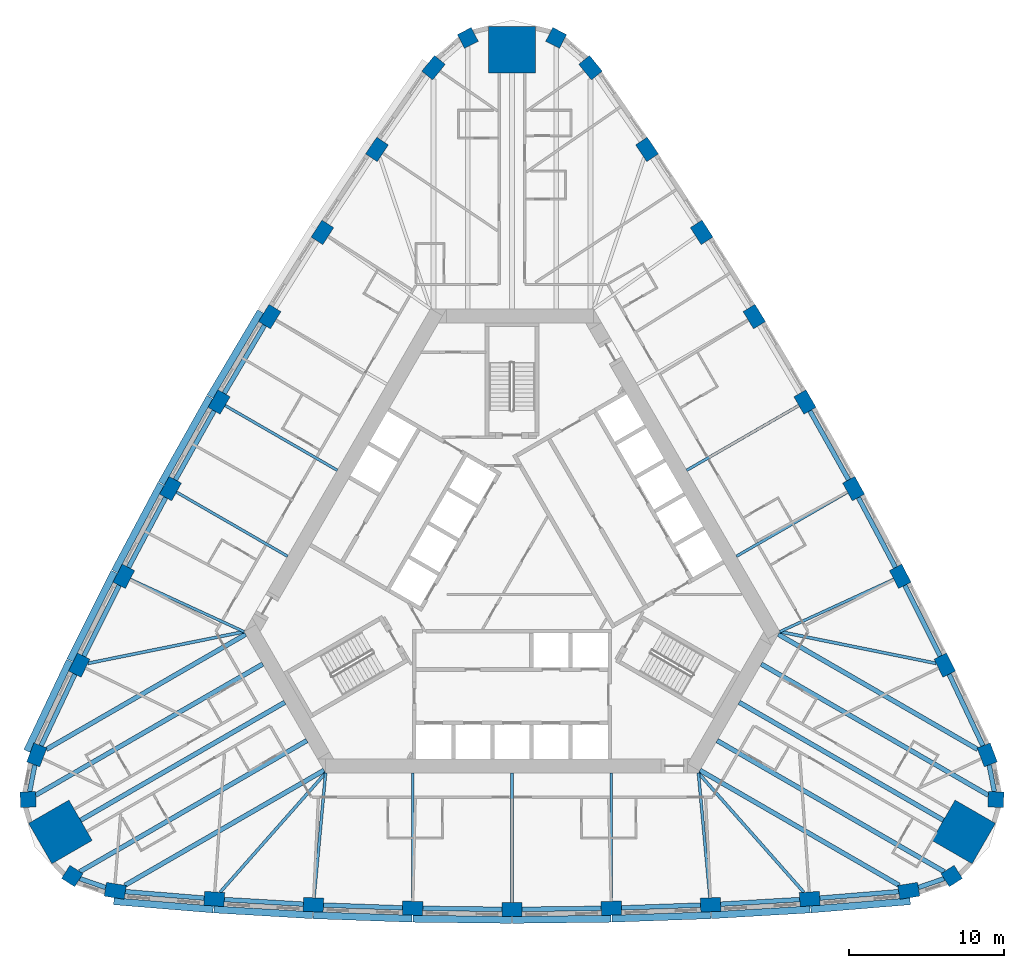
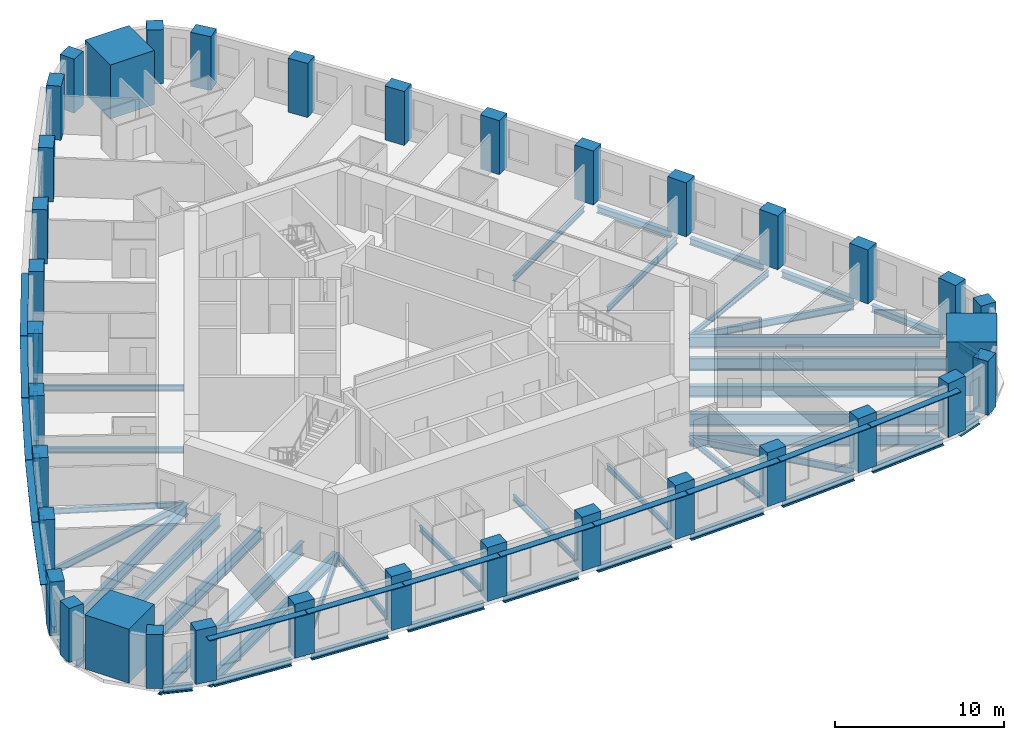
# One storey, part 1 of 13: 46 beams, 36 columns, 13 members.
"""IFC4 building model written with IfcOpenShell, lengths in metres."""

from ifc_helpers import new_model, si_unit, direction, frame, origin, origin_2d, place, context, subcontext, project, spatial, rectangle, i_section, extrude, material, material_profile, profile_set, type_object, element, save


model = new_model("IFC4")

# Units and contexts
model_context = context("Model", 3, precision=1e-05, world=origin(), true_north=direction((0.0, 1.0)))
body_context = subcontext(model_context, "Body", "Model", "MODEL_VIEW")
ifc_project = project(units=[si_unit("LENGTHUNIT", "METRE"), si_unit("AREAUNIT", "SQUARE_METRE"), si_unit("VOLUMEUNIT", "CUBIC_METRE"), si_unit("PLANEANGLEUNIT", "RADIAN"), si_unit("MASSUNIT", "GRAM", prefix="KILO")], contexts=[model_context])

# Site, building, storey
site_placement = place(None, origin())
site = spatial("IfcSite", under=ifc_project, at=site_placement, CompositionType="ELEMENT")
building_placement = place(site_placement, origin())
building = spatial("IfcBuilding", under=site, at=building_placement, Name="Mestral Congress Tower", CompositionType="ELEMENT")
storey_placement = place(building_placement, frame((0.0, 0.0, 95.39990234375)))
storey = spatial("IfcBuildingStorey", under=building, at=storey_placement, Name="L22", CompositionType="ELEMENT", Elevation=95.39990234375)

# Columns
ifc_material_1 = material(Name="Concrete C70/85", Category="concrete")
ifc_material_profile_1 = material_profile(ifc_material_1, rectangle(XDim=1.0, YDim=1.0, at=origin_2d()), Name="RC 1000x1000")
ifc_profile_set_1 = profile_set([ifc_material_profile_1], Name="Concrete C70/85")
column_type_1 = type_object("IfcColumnType", Name="Column RC 1000x1000 C70/85", PredefinedType="COLUMN", material=ifc_profile_set_1)
for number, where, z_axis, x_axis, name in (
    (1, (28.331298828125, -19.642822265625, 0.0), (0.0, 0.0, 1.0), (0.841700252504, 0.53994507585, 0.0), "COL-L22-C2-SE1"),
    (2, (31.1767578125, -14.714111328125, 0.0), (0.0, 0.0, 1.0), (0.046756026083, 0.998906338965, 0.0), "COL-L22-C2-SE3"),
    (3, (2.845703125, 34.35693359375, 0.0), (0.0, 0.0, 1.0), (-0.888456278587, 0.458961263115, 0.0), "COL-L22-C2-N1"),
    (4, (-2.845703125, 34.35693359375, 0.0), (0.0, 0.0, 1.0), (-0.888456278587, -0.458961263115, 0.0), "COL-L22-C2-N3"),
    (5, (-31.1767578125, -14.714111328125, 0.0), (0.0, 0.0, 1.0), (0.046756026083, -0.998906338965, 0.0), "COL-L22-C2-SW1"),
    (6, (-28.331298828125, -19.642822265625, 0.0), (0.0, 0.0, 1.0), (0.841700252504, -0.53994507585, 0.0), "COL-L22-C2-SW3"),
):
    element("IfcColumn", number, at=place(storey_placement, frame(where, z_axis=z_axis, x_axis=x_axis)), inside=storey, type_object=column_type_1, Name=name, PredefinedType="COLUMN", context=body_context, shape_type="SweptSolid", body=[
        extrude(rectangle(XDim=1.0, YDim=1.0, at=origin_2d()), origin(), (0.0, 0.0, 1.0), 3.900146484375),
    ])
ifc_material_profile_2 = material_profile(ifc_material_1, rectangle(XDim=1.300048828125, YDim=0.89990234375, at=origin_2d()), Name="RC 1300x900")
ifc_profile_set_2 = profile_set([ifc_material_profile_2], Name="Concrete C70/85")
column_type_2 = type_object("IfcColumnType", Name="Column RC 1300x900 C70/85", PredefinedType="COLUMN", material=ifc_profile_set_2)
for number, where, z_axis, x_axis, name in (
    (7, (-25.562744140625, -20.59716796875, 0.0), (0.0, 0.0, 1.0), (0.987202314361, -0.159472851987, 0.0), "COL-L22-C2-S00"),
    (8, (-19.184326171875, -21.120361328125, 0.0), (0.0, 0.0, 1.0), (0.997539884588, -0.07010120296, 0.0), "COL-L22-C2-S01"),
    (9, (-12.79541015625, -21.494384765625, 0.0), (0.0, 0.0, 1.0), (0.998906338965, -0.046756026083, 0.0), "COL-L22-C2-S02"),
    (10, (-6.3994140625, -21.71875, 0.0), (0.0, 0.0, 1.0), (0.99972656776, -0.023383535144, 0.0), "COL-L22-C2-S03"),
    (11, (0.0, -21.793701171875, 0.0), (0.0, 0.0, 1.0), (1.0, 0.0, 0.0), "COL-L22-C2-S04"),
    (12, (6.3994140625, -21.71875, 0.0), (0.0, 0.0, 1.0), (0.99972656776, 0.023383535144, 0.0), "COL-L22-C2-S05"),
    (13, (12.79541015625, -21.494384765625, 0.0), (0.0, 0.0, 1.0), (0.998906338965, 0.046756026083, 0.0), "COL-L22-C2-S06"),
    (14, (19.184326171875, -21.120361328125, 0.0), (0.0, 0.0, 1.0), (0.997539884588, 0.07010120296, 0.0), "COL-L22-C2-S07"),
    (15, (25.562744140625, -20.59716796875, 0.0), (0.0, 0.0, 1.0), (0.987202314361, 0.159472851987, 0.0), "COL-L22-C2-S08"),
    (16, (30.618896484375, -11.83935546875, 0.0), (0.0, 0.0, 1.0), (-0.355493616145, 0.934678708905, 0.0), "COL-L22-C2-E00"),
    (17, (27.8828125, -6.0537109375, 0.0), (0.0, 0.0, 1.0), (-0.438060519695, 0.898945482821, 0.0), "COL-L22-C2-E01"),
    (18, (25.01220703125, -0.333984375, 0.0), (0.0, 0.0, 1.0), (-0.458961263115, 0.888456278587, 0.0), "COL-L22-C2-E02"),
    (19, (22.0087890625, 5.3173828125, 0.0), (0.0, 0.0, 1.0), (-0.479612548415, 0.87748037209, 0.0), "COL-L22-C2-E03"),
    (20, (18.873779296875, 10.896728515625, 0.0), (0.0, 0.0, 1.0), (-0.5, 0.866025403784, 0.0), "COL-L22-C2-E04"),
    (21, (15.609375, 16.401611328125, 0.0), (0.0, 0.0, 1.0), (-0.520114019344, 0.854096836946, 0.0), "COL-L22-C2-E05"),
    (22, (12.217041015625, 21.828369140625, 0.0), (0.0, 0.0, 1.0), (-0.53994507585, 0.841700252504, 0.0), "COL-L22-C2-E06"),
    (23, (8.69873046875, 27.17431640625, 0.0), (0.0, 0.0, 1.0), (-0.559479364893, 0.828844279861, 0.0), "COL-L22-C2-E07"),
    (24, (5.056396484375, 32.4365234375, 0.0), (0.0, 0.0, 1.0), (-0.631708698215, 0.775205856918, 0.0), "COL-L22-C2-E08"),
    (25, (-5.056396484375, 32.4365234375, 0.0), (0.0, 0.0, 1.0), (-0.631708698215, -0.775205856918, 0.0), "COL-L22-C2-W00"),
    (26, (-8.69873046875, 27.17431640625, 0.0), (0.0, 0.0, 1.0), (-0.559479364893, -0.828844279861, 0.0), "COL-L22-C2-W01"),
    (27, (-12.217041015625, 21.828369140625, 0.0), (0.0, 0.0, 1.0), (-0.53994507585, -0.841700252504, 0.0), "COL-L22-C2-W02"),
    (28, (-15.609375, 16.401611328125, 0.0), (0.0, 0.0, 1.0), (-0.520114019344, -0.854096836946, 0.0), "COL-L22-C2-W03"),
    (29, (-18.873779296875, 10.896728515625, 0.0), (0.0, 0.0, 1.0), (-0.5, -0.866025403784, 0.0), "COL-L22-C2-W04"),
    (30, (-22.0087890625, 5.3173828125, 0.0), (0.0, 0.0, 1.0), (-0.479612548415, -0.87748037209, 0.0), "COL-L22-C2-W05"),
    (31, (-25.01220703125, -0.333984375, 0.0), (0.0, 0.0, 1.0), (-0.458961263115, -0.888456278587, 0.0), "COL-L22-C2-W06"),
    (32, (-27.8828125, -6.0537109375, 0.0), (0.0, 0.0, 1.0), (-0.438060519695, -0.898945482821, 0.0), "COL-L22-C2-W07"),
    (33, (-30.618896484375, -11.83935546875, 0.0), (0.0, 0.0, 1.0), (-0.355493616145, -0.934678708905, 0.0), "COL-L22-C2-W08"),
):
    element("IfcColumn", number, at=place(storey_placement, frame(where, z_axis=z_axis, x_axis=x_axis)), inside=storey, type_object=column_type_2, Name=name, PredefinedType="COLUMN", context=body_context, shape_type="SweptSolid", body=[
        extrude(rectangle(XDim=1.300048828125, YDim=0.89990234375, at=origin_2d()), origin(), (0.0, 0.0, 1.0), 3.900146484375),
    ])
ifc_material_2 = material(Name="Concrete C80/95", Category="concrete")
ifc_material_profile_3 = material_profile(ifc_material_2, rectangle(XDim=3.0, YDim=3.0, at=origin_2d()), Name="RC 3000x3000")
ifc_profile_set_3 = profile_set([ifc_material_profile_3], Name="Concrete C80/95")
column_type_3 = type_object("IfcColumnType", Name="Mega column RC 3000x3000 C80/95", PredefinedType="COLUMN", material=ifc_profile_set_3)
for number, where, z_axis, x_axis, name in (
    (34, (29.09716796875, -16.79931640625, 0.0), (0.0, 0.0, 1.0), (0.866025403784, -0.5, 0.0), "COL-L22-PY2-SE"),
    (35, (0.0, 33.598388671875, 0.0), (0.0, 0.0, 1.0), (0.0, 1.0, 0.0), "COL-L22-PY2-N"),
    (36, (-29.09716796875, -16.79931640625, 0.0), (0.0, 0.0, 1.0), (-0.866025403784, -0.5, 0.0), "COL-L22-PY2-SW"),
):
    element("IfcColumn", number, at=place(storey_placement, frame(where, z_axis=z_axis, x_axis=x_axis)), inside=storey, type_object=column_type_3, Name=name, PredefinedType="COLUMN", context=body_context, shape_type="SweptSolid", body=[
        extrude(rectangle(XDim=3.0, YDim=3.0, at=origin_2d()), origin(), (0.0, 0.0, 1.0), 3.900146484375),
    ])

# Members
ifc_material_3 = material(Name="Glazed ceramic", Category="masonry")
ifc_material_profile_4 = material_profile(ifc_material_3, rectangle(XDim=0.449951171875, YDim=0.06005859375, at=origin_2d()), Name="Ceramic blade 450 x 60")
ifc_profile_set_4 = profile_set([ifc_material_profile_4], Name="Glazed ceramic")
member_type = type_object("IfcMemberType", Name="Facade sunshade blade 450 x 60", PredefinedType="USERDEFINED", material=ifc_profile_set_4)
member_1_placement = place(storey_placement, frame((-25.654296875, -21.266845703125, 3.280029296875), z_axis=(0.996650616323, -0.081777435656, 0.0), x_axis=(0.081777435656, 0.996650616323, 0.0)))
element("IfcMember", 37, at=member_1_placement, inside=storey, type_object=member_type, Name="Sunshade F0-00", ObjectType="SUNSHADE", PredefinedType="USERDEFINED", context=body_context, shape_type="SweptSolid", body=[
    extrude(rectangle(XDim=0.449951171875, YDim=0.06005859375, at=origin_2d()), origin(), (0.0, 0.0, 1.0), 6.421630859375),
])
for number, where, z_axis, x_axis, name in (
    (38, (-19.208984375, -21.795166015625, 3.280029296875), (0.998292825409, -0.05840748871, 0.0), (0.05840748871, 0.998292825409, 0.0), "Sunshade F0-01"),
    (39, (-12.80419921875, -22.16943359375, 3.280029296875), (0.999384970229, -0.035066811664, 0.0), (0.035066811664, 0.999384970229, 0.0), "Sunshade F0-02"),
    (40, (-6.392578125, -22.393798828125, 3.280029296875), (0.999931231966, -0.011727375608, 0.0), (0.011727375608, 0.999931231966, 0.0), "Sunshade F0-03"),
    (41, (0.022705078125, -22.468505859375, 3.280029296875), (0.999931231966, 0.011727375608, 0.0), (-0.011727375608, 0.999931231966, 0.0), "Sunshade F0-04"),
    (42, (6.437744140625, -22.392822265625, 3.280029296875), (0.999384970229, 0.035066811664, 0.0), (-0.035066811664, 0.999384970229, 0.0), "Sunshade F0-05"),
    (43, (12.849609375, -22.167236328125, 3.280029296875), (0.998292825409, 0.05840748871, 0.0), (-0.05840748871, 0.998292825409, 0.0), "Sunshade F0-06"),
):
    element("IfcMember", number, at=place(storey_placement, frame(where, z_axis=z_axis, x_axis=x_axis)), inside=storey, type_object=member_type, Name=name, ObjectType="SUNSHADE", PredefinedType="USERDEFINED", context=body_context, shape_type="SweptSolid", body=[
        extrude(rectangle(XDim=0.449951171875, YDim=0.06005859375, at=origin_2d()), origin(), (0.0, 0.0, 1.0), 6.370361328125),
    ])
member_2_placement = place(storey_placement, frame((19.254150390625, -21.7919921875, 3.280029296875), z_axis=(0.996650616323, 0.081777435656, 0.0), x_axis=(-0.081777435656, 0.996650616323, 0.0)))
element("IfcMember", 44, at=member_2_placement, inside=storey, type_object=member_type, Name="Sunshade F0-07", ObjectType="SUNSHADE", PredefinedType="USERDEFINED", context=body_context, shape_type="SweptSolid", body=[
    extrude(rectangle(XDim=0.449951171875, YDim=0.06005859375, at=origin_2d()), origin(), (0.0, 0.0, 1.0), 6.421630859375),
])
for number, where, z_axis, x_axis, name in (
    (45, (-16.197509765625, 16.733154296875, 3.280029296875), (-0.510098606231, -0.86011592935, 0.0), (0.86011592935, -0.510098606231, 0.0), "Sunshade F2-03"),
    (46, (-19.469482421875, 11.214599609375, 3.280029296875), (-0.489860886888, -0.871800614531, 0.0), (0.871800614531, -0.489860886888, 0.0), "Sunshade F2-04"),
    (47, (-22.61181640625, 5.62109375, 3.280029296875), (-0.469318672425, -0.883028869128, 0.0), (0.883028869128, -0.469318672425, 0.0), "Sunshade F2-05"),
):
    element("IfcMember", number, at=place(storey_placement, frame(where, z_axis=z_axis, x_axis=x_axis)), inside=storey, type_object=member_type, Name=name, ObjectType="SUNSHADE", PredefinedType="USERDEFINED", context=body_context, shape_type="SweptSolid", body=[
        extrude(rectangle(XDim=0.449951171875, YDim=0.06005859375, at=origin_2d()), origin(), (0.0, 0.0, 1.0), 6.370361328125),
    ])
member_3_placement = place(storey_placement, frame((-25.622314453125, -0.04443359375, 3.280029296875), z_axis=(-0.448531530965, -0.893767008638, 0.0), x_axis=(0.893767008638, -0.448531530965, 0.0)))
element("IfcMember", 48, at=member_3_placement, inside=storey, type_object=member_type, Name="Sunshade F2-06", ObjectType="SUNSHADE", PredefinedType="USERDEFINED", context=body_context, shape_type="SweptSolid", body=[
    extrude(rectangle(XDim=0.449951171875, YDim=0.06005859375, at=origin_2d()), origin(), (0.0, 0.0, 1.0), 6.3701171875),
])
member_4_placement = place(storey_placement, frame((-28.49951171875, -5.778564453125, 3.280029296875), z_axis=(-0.427519164001, -0.904006285604, 0.0), x_axis=(0.904006285604, -0.427519164001, 0.0)))
element("IfcMember", 49, at=member_4_placement, inside=storey, type_object=member_type, Name="Sunshade F2-07", ObjectType="SUNSHADE", PredefinedType="USERDEFINED", context=body_context, shape_type="SweptSolid", body=[
    extrude(rectangle(XDim=0.449951171875, YDim=0.06005859375, at=origin_2d()), origin(), (0.0, 0.0, 1.0), 6.421630859375),
])

# Beams
ifc_material_4 = material(Name="Steel S355", Category="steel")
ifc_material_profile_5 = material_profile(ifc_material_4, i_section(OverallWidth=0.300048828125, OverallDepth=0.800048828125, WebThickness=0.017578125, FlangeThickness=0.032958984375, FilletRadius=0.030029296875, at=origin_2d()), Name="HEB 800")
ifc_profile_set_5 = profile_set([ifc_material_profile_5], Name="Steel S355")
beam_type_1 = type_object("IfcBeamType", Name="Floor beam HEB 800 S355", PredefinedType="BEAM", material=ifc_profile_set_5)
for number, where, z_axis, x_axis, name in (
    (50, (-24.94580078125, -20.240966796875, -0.64990234375), (0.866025146382, 0.500000445834, 0.0), (-0.500000445834, 0.866025146382, 0.0), "BM-L22-RB2-S00"),
    (51, (24.94580078125, -20.240966796875, -0.64990234375), (-0.866025146382, 0.500000445834, 0.0), (-0.500000445834, -0.866025146382, 0.0), "BM-L22-RB2-S08"),
):
    element("IfcBeam", number, at=place(storey_placement, frame(where, z_axis=z_axis, x_axis=x_axis)), inside=storey, type_object=beam_type_1, Name=name, PredefinedType="BEAM", context=body_context, shape_type="SweptSolid", body=[
        extrude(i_section(OverallWidth=0.300048828125, OverallDepth=0.800048828125, WebThickness=0.017578125, FlangeThickness=0.032958984375, FilletRadius=0.030029296875, at=origin_2d()), origin(), (0.0, 0.0, 1.0), 14.82421875),
    ])
beam_1_placement = place(storey_placement, frame((27.798095703125, -16.04931640625, -0.64990234375), z_axis=(-0.866023213189, 0.500003794204, 0.0), x_axis=(-0.500003794204, -0.866023213189, 0.0)))
element("IfcBeam", 52, at=beam_1_placement, inside=storey, type_object=beam_type_1, Name="BM-L22-RB2-SE", PredefinedType="BEAM", context=body_context, shape_type="SweptSolid", body=[
    extrude(i_section(OverallWidth=0.300048828125, OverallDepth=0.800048828125, WebThickness=0.017578125, FlangeThickness=0.032958984375, FilletRadius=0.030029296875, at=origin_2d()), origin(), (0.0, 0.0, 1.0), 15.19873046875),
])
for number, where, z_axis, x_axis, name in (
    (53, (30.002197265625, -11.483154296875, -0.64990234375), (-0.866025146382, 0.500000445834, 0.0), (-0.500000445834, -0.866025146382, 0.0), "BM-L22-RB2-E00"),
    (54, (-30.002197265625, -11.483154296875, -0.64990234375), (0.866025146382, 0.500000445834, 0.0), (-0.500000445834, 0.866025146382, 0.0), "BM-L22-RB2-W08"),
):
    element("IfcBeam", number, at=place(storey_placement, frame(where, z_axis=z_axis, x_axis=x_axis)), inside=storey, type_object=beam_type_1, Name=name, PredefinedType="BEAM", context=body_context, shape_type="SweptSolid", body=[
        extrude(i_section(OverallWidth=0.300048828125, OverallDepth=0.800048828125, WebThickness=0.017578125, FlangeThickness=0.032958984375, FilletRadius=0.030029296875, at=origin_2d()), origin(), (0.0, 0.0, 1.0), 14.82421875),
    ])
beam_2_placement = place(storey_placement, frame((-27.798095703125, -16.04931640625, -0.64990234375), z_axis=(0.866023213189, 0.500003794204, 0.0), x_axis=(-0.500003794204, 0.866023213189, 0.0)))
element("IfcBeam", 55, at=beam_2_placement, inside=storey, type_object=beam_type_1, Name="BM-L22-RB2-SW", PredefinedType="BEAM", context=body_context, shape_type="SweptSolid", body=[
    extrude(i_section(OverallWidth=0.300048828125, OverallDepth=0.800048828125, WebThickness=0.017578125, FlangeThickness=0.032958984375, FilletRadius=0.030029296875, at=origin_2d()), origin(), (0.0, 0.0, 1.0), 15.19873046875),
])
ifc_material_profile_6 = material_profile(ifc_material_4, i_section(OverallWidth=0.300048828125, OverallDepth=0.89990234375, WebThickness=0.0185546875, FlangeThickness=0.034912109375, FilletRadius=0.030029296875, at=origin_2d()), Name="HEB 900")
ifc_profile_set_6 = profile_set([ifc_material_profile_6], Name="Steel S355")
beam_type_2 = type_object("IfcBeamType", Name="Floor beam HEB 900 S355", PredefinedType="BEAM", material=ifc_profile_set_6)
beam_3_placement = place(storey_placement, frame((27.84375, -19.361328125, -0.699951171875), z_axis=(-0.866024587677, 0.500001413537, 0.0), x_axis=(-0.500001413537, -0.866024587677, 0.0)))
element("IfcBeam", 56, at=beam_3_placement, inside=storey, type_object=beam_type_2, Name="BM-L22-RB2-SE1", PredefinedType="BEAM", context=body_context, shape_type="SweptSolid", body=[
    extrude(i_section(OverallWidth=0.300048828125, OverallDepth=0.89990234375, WebThickness=0.0185546875, FlangeThickness=0.034912109375, FilletRadius=0.030029296875, at=origin_2d()), origin(), (0.0, 0.0, 1.0), 16.89404296875),
])
for number, where, z_axis, x_axis, name in (
    (57, (30.689453125, -14.4326171875, -0.699951171875), (-0.866028200461, 0.499995155983, 0.0), (-0.499995155983, -0.866028200461, 0.0), "BM-L22-RB2-SE3"),
    (58, (-30.689453125, -14.4326171875, -0.699951171875), (0.866028200461, 0.499995155983, 0.0), (-0.499995155983, 0.866028200461, 0.0), "BM-L22-RB2-SW1"),
):
    element("IfcBeam", number, at=place(storey_placement, frame(where, z_axis=z_axis, x_axis=x_axis)), inside=storey, type_object=beam_type_2, Name=name, PredefinedType="BEAM", context=body_context, shape_type="SweptSolid", body=[
        extrude(i_section(OverallWidth=0.300048828125, OverallDepth=0.89990234375, WebThickness=0.0185546875, FlangeThickness=0.034912109375, FilletRadius=0.030029296875, at=origin_2d()), origin(), (0.0, 0.0, 1.0), 16.894287109375),
    ])
beam_4_placement = place(storey_placement, frame((-27.84375, -19.361328125, -0.699951171875), z_axis=(0.866024587677, 0.500001413537, 0.0), x_axis=(-0.500001413537, 0.866024587677, 0.0)))
element("IfcBeam", 59, at=beam_4_placement, inside=storey, type_object=beam_type_2, Name="BM-L22-RB2-SW3", PredefinedType="BEAM", context=body_context, shape_type="SweptSolid", body=[
    extrude(i_section(OverallWidth=0.300048828125, OverallDepth=0.89990234375, WebThickness=0.0185546875, FlangeThickness=0.034912109375, FilletRadius=0.030029296875, at=origin_2d()), origin(), (0.0, 0.0, 1.0), 16.89404296875),
])
ifc_material_profile_7 = material_profile(ifc_material_4, i_section(OverallWidth=0.179931640625, OverallDepth=0.39990234375, WebThickness=0.008544921875, FlangeThickness=0.013427734375, FilletRadius=0.02099609375, at=origin_2d()), Name="IPE 400")
ifc_profile_set_7 = profile_set([ifc_material_profile_7], Name="Steel S355")
beam_type_3 = type_object("IfcBeamType", Name="Floor beam IPE 400 S355", PredefinedType="BEAM", material=ifc_profile_set_7)
beam_5_placement = place(storey_placement, frame((-12.753662109375, -21.0458984375, -0.449951171875), z_axis=(0.092183786594, 0.995742009503, 0.0), x_axis=(-0.995742009503, 0.092183786594, 0.0)))
element("IfcBeam", 60, at=beam_5_placement, inside=storey, type_object=beam_type_3, Name="BM-L22-RB2-S02", PredefinedType="BEAM", context=body_context, shape_type="SweptSolid", body=[
    extrude(i_section(OverallWidth=0.179931640625, OverallDepth=0.39990234375, WebThickness=0.008544921875, FlangeThickness=0.013427734375, FilletRadius=0.02099609375, at=origin_2d()), origin(), (0.0, 0.0, 1.0), 8.080322265625),
])
beam_6_placement = place(storey_placement, frame((-6.3994140625, -21.268798828125, -0.449951171875), z_axis=(0.0, 1.0, 0.0), x_axis=(-1.0, 0.0, 0.0)))
element("IfcBeam", 61, at=beam_6_placement, inside=storey, type_object=beam_type_3, Name="BM-L22-RB2-S03", PredefinedType="BEAM", context=body_context, shape_type="SweptSolid", body=[
    extrude(i_section(OverallWidth=0.179931640625, OverallDepth=0.39990234375, WebThickness=0.008544921875, FlangeThickness=0.013427734375, FilletRadius=0.02099609375, at=origin_2d()), origin(), (0.0, 0.0, 1.0), 8.268798828125),
])
beam_7_placement = place(storey_placement, frame((0.0, -21.343505859375, -0.449951171875), z_axis=(0.0, 1.0, 0.0), x_axis=(-1.0, 0.0, 0.0)))
element("IfcBeam", 62, at=beam_7_placement, inside=storey, type_object=beam_type_3, Name="BM-L22-RB2-S04", PredefinedType="BEAM", context=body_context, shape_type="SweptSolid", body=[
    extrude(i_section(OverallWidth=0.179931640625, OverallDepth=0.39990234375, WebThickness=0.008544921875, FlangeThickness=0.013427734375, FilletRadius=0.02099609375, at=origin_2d()), origin(), (0.0, 0.0, 1.0), 8.343505859375),
])
beam_8_placement = place(storey_placement, frame((6.3994140625, -21.268798828125, -0.449951171875), z_axis=(0.0, 1.0, 0.0), x_axis=(-1.0, 0.0, 0.0)))
element("IfcBeam", 63, at=beam_8_placement, inside=storey, type_object=beam_type_3, Name="BM-L22-RB2-S05", PredefinedType="BEAM", context=body_context, shape_type="SweptSolid", body=[
    extrude(i_section(OverallWidth=0.179931640625, OverallDepth=0.39990234375, WebThickness=0.008544921875, FlangeThickness=0.013427734375, FilletRadius=0.02099609375, at=origin_2d()), origin(), (0.0, 0.0, 1.0), 8.268798828125),
])
beam_9_placement = place(storey_placement, frame((12.753662109375, -21.0458984375, -0.449951171875), z_axis=(-0.092183786594, 0.995742009503, 0.0), x_axis=(-0.995742009503, -0.092183786594, 0.0)))
element("IfcBeam", 64, at=beam_9_placement, inside=storey, type_object=beam_type_3, Name="BM-L22-RB2-S06", PredefinedType="BEAM", context=body_context, shape_type="SweptSolid", body=[
    extrude(i_section(OverallWidth=0.179931640625, OverallDepth=0.39990234375, WebThickness=0.008544921875, FlangeThickness=0.013427734375, FilletRadius=0.02099609375, at=origin_2d()), origin(), (0.0, 0.0, 1.0), 8.080322265625),
])
beam_10_placement = place(storey_placement, frame((24.60302734375, -0.522216796875, -0.449951171875), z_axis=(-0.908437217841, -0.418021316731, 0.0), x_axis=(0.418021316731, -0.908437217841, 0.0)))
element("IfcBeam", 65, at=beam_10_placement, inside=storey, type_object=beam_type_3, Name="BM-L22-RB2-E02", PredefinedType="BEAM", context=body_context, shape_type="SweptSolid", body=[
    extrude(i_section(OverallWidth=0.179931640625, OverallDepth=0.39990234375, WebThickness=0.008544921875, FlangeThickness=0.013427734375, FilletRadius=0.02099609375, at=origin_2d()), origin(), (0.0, 0.0, 1.0), 8.080078125),
])
beam_11_placement = place(storey_placement, frame((21.618896484375, 5.09228515625, -0.449951171875), z_axis=(-0.866028737439, -0.499994225897, 0.0), x_axis=(0.499994225897, -0.866028737439, 0.0)))
element("IfcBeam", 66, at=beam_11_placement, inside=storey, type_object=beam_type_3, Name="BM-L22-RB2-E03", PredefinedType="BEAM", context=body_context, shape_type="SweptSolid", body=[
    extrude(i_section(OverallWidth=0.179931640625, OverallDepth=0.39990234375, WebThickness=0.008544921875, FlangeThickness=0.013427734375, FilletRadius=0.02099609375, at=origin_2d()), origin(), (0.0, 0.0, 1.0), 8.2685546875),
])
for number, where, z_axis, x_axis, name in (
    (67, (18.484130859375, 10.671875, -0.449951171875), (-0.86602332482, -0.500003600855, 0.0), (0.500003600855, -0.86602332482, 0.0), "BM-L22-RB2-E04"),
    (68, (-18.484130859375, 10.671875, -0.449951171875), (0.86602332482, -0.500003600855, 0.0), (0.500003600855, 0.86602332482, 0.0), "BM-L22-RB2-W04"),
):
    element("IfcBeam", number, at=place(storey_placement, frame(where, z_axis=z_axis, x_axis=x_axis)), inside=storey, type_object=beam_type_3, Name=name, PredefinedType="BEAM", context=body_context, shape_type="SweptSolid", body=[
        extrude(i_section(OverallWidth=0.179931640625, OverallDepth=0.39990234375, WebThickness=0.008544921875, FlangeThickness=0.013427734375, FilletRadius=0.02099609375, at=origin_2d()), origin(), (0.0, 0.0, 1.0), 8.34375),
    ])
beam_12_placement = place(storey_placement, frame((-21.618896484375, 5.09228515625, -0.449951171875), z_axis=(0.866028737439, -0.499994225897, 0.0), x_axis=(0.499994225897, 0.866028737439, 0.0)))
element("IfcBeam", 69, at=beam_12_placement, inside=storey, type_object=beam_type_3, Name="BM-L22-RB2-W05", PredefinedType="BEAM", context=body_context, shape_type="SweptSolid", body=[
    extrude(i_section(OverallWidth=0.179931640625, OverallDepth=0.39990234375, WebThickness=0.008544921875, FlangeThickness=0.013427734375, FilletRadius=0.02099609375, at=origin_2d()), origin(), (0.0, 0.0, 1.0), 8.2685546875),
])
beam_13_placement = place(storey_placement, frame((-24.60302734375, -0.522216796875, -0.449951171875), z_axis=(0.908437217841, -0.418021316731, 0.0), x_axis=(0.418021316731, 0.908437217841, 0.0)))
element("IfcBeam", 70, at=beam_13_placement, inside=storey, type_object=beam_type_3, Name="BM-L22-RB2-W06", PredefinedType="BEAM", context=body_context, shape_type="SweptSolid", body=[
    extrude(i_section(OverallWidth=0.179931640625, OverallDepth=0.39990234375, WebThickness=0.008544921875, FlangeThickness=0.013427734375, FilletRadius=0.02099609375, at=origin_2d()), origin(), (0.0, 0.0, 1.0), 8.080078125),
])
ifc_material_profile_8 = material_profile(ifc_material_4, i_section(OverallWidth=0.199951171875, OverallDepth=0.5, WebThickness=0.01025390625, FlangeThickness=0.01611328125, FilletRadius=0.02099609375, at=origin_2d()), Name="IPE 500")
ifc_profile_set_8 = profile_set([ifc_material_profile_8], Name="Steel S355")
beam_type_4 = type_object("IfcBeamType", Name="Floor beam IPE 500 S355", PredefinedType="BEAM", material=ifc_profile_set_8)
for number, where, z_axis, x_axis, name in (
    (71, (-18.80908203125, -20.695556640625, -0.5), (0.662174203587, 0.749349934346, 0.0), (-0.749349934346, 0.662174203587, 0.0), "BM-L22-RB2-S01"),
    (72, (18.80908203125, -20.695556640625, -0.5), (-0.662174203587, 0.749349934346, 0.0), (-0.749349934346, -0.662174203587, 0.0), "BM-L22-RB2-S07"),
    (73, (27.327392578125, -5.941162109375, -0.5), (-0.980046767137, 0.198767035052, 0.0), (-0.198767035052, -0.980046767137, 0.0), "BM-L22-RB2-E01"),
    (74, (-27.327392578125, -5.941162109375, -0.5), (0.980046767137, 0.198767035052, 0.0), (-0.198767035052, 0.980046767137, 0.0), "BM-L22-RB2-W07"),
):
    element("IfcBeam", number, at=place(storey_placement, frame(where, z_axis=z_axis, x_axis=x_axis)), inside=storey, type_object=beam_type_4, Name=name, PredefinedType="BEAM", context=body_context, shape_type="SweptSolid", body=[
        extrude(i_section(OverallWidth=0.199951171875, OverallDepth=0.5, WebThickness=0.01025390625, FlangeThickness=0.01611328125, FilletRadius=0.02099609375, at=origin_2d()), origin(), (0.0, 0.0, 1.0), 10.26953125),
    ])
ifc_material_profile_9 = material_profile(ifc_material_4, i_section(OverallWidth=0.300048828125, OverallDepth=0.489990234375, WebThickness=0.011962890625, FlangeThickness=0.02294921875, FilletRadius=0.027099609375, at=origin_2d()), Name="HEA 500")
ifc_profile_set_9 = profile_set([ifc_material_profile_9], Name="Steel S355")
beam_type_5 = type_object("IfcBeamType", Name="Spandrel beam HEA 500 S355", PredefinedType="BEAM", material=ifc_profile_set_9)
beam_14_placement = place(storey_placement, frame((-24.912841796875, -20.650390625, -0.494873046875), z_axis=(0.996652597162, -0.081753290887, 0.0), x_axis=(0.081753290887, 0.996652597162, 0.0)))
element("IfcBeam", 75, at=beam_14_placement, inside=storey, type_object=beam_type_5, Name="SP-L22-SB2-S00", PredefinedType="BEAM", context=body_context, shape_type="SweptSolid", body=[
    extrude(i_section(OverallWidth=0.300048828125, OverallDepth=0.489990234375, WebThickness=0.011962890625, FlangeThickness=0.02294921875, FilletRadius=0.027099609375, at=origin_2d()), origin(), (0.0, 0.0, 1.0), 5.09765625),
])
for number, where, z_axis, x_axis, name in (
    (76, (-18.535400390625, -21.158447265625, -0.494873046875), (0.998292976718, -0.058404902489, 0.0), (0.058404902489, 0.998292976718, 0.0), "SP-L22-SB2-S01"),
    (77, (-12.145751953125, -21.51708984375, -0.494873046875), (0.999384139945, -0.035090466305, 0.0), (0.035090466305, 0.999384139945, 0.0), "SP-L22-SB2-S02"),
    (78, (-5.74951171875, -21.726318359375, -0.494873046875), (0.999931780034, -0.011680551241, 0.0), (0.011680551241, 0.999931780034, 0.0), "SP-L22-SB2-S03"),
    (79, (0.64990234375, -21.785888671875, -0.494873046875), (0.999931780034, 0.011680551241, 0.0), (-0.011680551241, 0.999931780034, 0.0), "SP-L22-SB2-S04"),
    (80, (7.049072265625, -21.696044921875, -0.494873046875), (0.999384139945, 0.035090466305, 0.0), (-0.035090466305, 0.999384139945, 0.0), "SP-L22-SB2-S05"),
    (81, (13.4443359375, -21.456298828125, -0.494873046875), (0.998292976718, 0.058404902489, 0.0), (-0.058404902489, 0.998292976718, 0.0), "SP-L22-SB2-S06"),
):
    element("IfcBeam", number, at=place(storey_placement, frame(where, z_axis=z_axis, x_axis=x_axis)), inside=storey, type_object=beam_type_5, Name=name, PredefinedType="BEAM", context=body_context, shape_type="SweptSolid", body=[
        extrude(i_section(OverallWidth=0.300048828125, OverallDepth=0.489990234375, WebThickness=0.011962890625, FlangeThickness=0.02294921875, FilletRadius=0.027099609375, at=origin_2d()), origin(), (0.0, 0.0, 1.0), 5.099853515625),
    ])
beam_15_placement = place(storey_placement, frame((19.832275390625, -21.067138671875, -0.494873046875), z_axis=(0.996652597162, 0.081753290887, 0.0), x_axis=(-0.081753290887, 0.996652597162, 0.0)))
element("IfcBeam", 82, at=beam_15_placement, inside=storey, type_object=beam_type_5, Name="SP-L22-SB2-S07", PredefinedType="BEAM", context=body_context, shape_type="SweptSolid", body=[
    extrude(i_section(OverallWidth=0.300048828125, OverallDepth=0.489990234375, WebThickness=0.011962890625, FlangeThickness=0.02294921875, FilletRadius=0.027099609375, at=origin_2d()), origin(), (0.0, 0.0, 1.0), 5.09765625),
])
for number, where, z_axis, x_axis, name in (
    (83, (26.186279296875, -20.382080078125, -0.494873046875), (0.945433605893, 0.325814819873, 0.0), (-0.325814819873, 0.945433605893, 0.0), "SP-L22-SB2-S08"),
    (84, (31.078857421875, -14.208984375, -0.494873046875), (-0.190545536928, 0.981678357894, 0.0), (-0.981678357894, -0.190545536928, 0.0), "SP-L22-SB2-SE3"),
):
    element("IfcBeam", number, at=place(storey_placement, frame(where, z_axis=z_axis, x_axis=x_axis)), inside=storey, type_object=beam_type_5, Name=name, PredefinedType="BEAM", context=body_context, shape_type="SweptSolid", body=[
        extrude(i_section(OverallWidth=0.300048828125, OverallDepth=0.489990234375, WebThickness=0.011962890625, FlangeThickness=0.02294921875, FilletRadius=0.027099609375, at=origin_2d()), origin(), (0.0, 0.0, 1.0), 1.754150390625),
    ])
beam_16_placement = place(storey_placement, frame((30.34033203125, -11.25, -0.494873046875), z_axis=(-0.427509849729, 0.904010690415, 0.0), x_axis=(-0.904010690415, -0.427509849729, 0.0)))
element("IfcBeam", 85, at=beam_16_placement, inside=storey, type_object=beam_type_5, Name="SP-L22-SB2-E00", PredefinedType="BEAM", context=body_context, shape_type="SweptSolid", body=[
    extrude(i_section(OverallWidth=0.300048828125, OverallDepth=0.489990234375, WebThickness=0.011962890625, FlangeThickness=0.02294921875, FilletRadius=0.027099609375, at=origin_2d()), origin(), (0.0, 0.0, 1.0), 5.097900390625),
])
for number, where, z_axis, x_axis, name in (
    (86, (27.59130859375, -5.472900390625, -0.494873046875), (-0.448515247182, 0.89377518037, 0.0), (-0.89377518037, -0.448515247182, 0.0), "SP-L22-SB2-E01"),
    (87, (24.707275390625, 0.239990234375, -0.494873046875), (-0.469288226496, 0.883045050081, 0.0), (-0.883045050081, -0.469288226496, 0.0), "SP-L22-SB2-E02"),
    (88, (21.6904296875, 5.884033203125, -0.494873046875), (-0.489836148985, 0.871814514187, 0.0), (-0.871814514187, -0.489836148985, 0.0), "SP-L22-SB2-E03"),
    (89, (-15.94091796875, 15.84228515625, -0.494873046875), (-0.510081870963, -0.860125854114, 0.0), (0.860125854114, -0.510081870963, 0.0), "SP-L22-SB2-W03"),
    (90, (-19.1923828125, 10.330078125, -0.494873046875), (-0.489836148985, -0.871814514187, 0.0), (0.871814514187, -0.489836148985, 0.0), "SP-L22-SB2-W04"),
    (91, (-22.31396484375, 4.743408203125, -0.494873046875), (-0.469288226496, -0.883045050081, 0.0), (0.883045050081, -0.469288226496, 0.0), "SP-L22-SB2-W05"),
    (92, (-25.303955078125, -0.914794921875, -0.494873046875), (-0.448515247182, -0.89377518037, 0.0), (0.89377518037, -0.448515247182, 0.0), "SP-L22-SB2-W06"),
):
    element("IfcBeam", number, at=place(storey_placement, frame(where, z_axis=z_axis, x_axis=x_axis)), inside=storey, type_object=beam_type_5, Name=name, PredefinedType="BEAM", context=body_context, shape_type="SweptSolid", body=[
        extrude(i_section(OverallWidth=0.300048828125, OverallDepth=0.489990234375, WebThickness=0.011962890625, FlangeThickness=0.02294921875, FilletRadius=0.027099609375, at=origin_2d()), origin(), (0.0, 0.0, 1.0), 5.099853515625),
    ])
beam_17_placement = place(storey_placement, frame((-28.160888671875, -6.641357421875, -0.494873046875), z_axis=(-0.427509849729, -0.904010690415, 0.0), x_axis=(0.904010690415, -0.427509849729, 0.0)))
element("IfcBeam", 93, at=beam_17_placement, inside=storey, type_object=beam_type_5, Name="SP-L22-SB2-W07", PredefinedType="BEAM", context=body_context, shape_type="SweptSolid", body=[
    extrude(i_section(OverallWidth=0.300048828125, OverallDepth=0.489990234375, WebThickness=0.011962890625, FlangeThickness=0.02294921875, FilletRadius=0.027099609375, at=origin_2d()), origin(), (0.0, 0.0, 1.0), 5.097900390625),
])
for number, where, z_axis, x_axis, name in (
    (94, (-30.74462890625, -12.487060546875, -0.494873046875), (-0.190545536928, -0.981678357894, 0.0), (0.981678357894, -0.190545536928, 0.0), "SP-L22-SB2-W08"),
    (95, (-27.8447265625, -19.810546875, -0.494873046875), (0.945433605893, -0.325814819873, 0.0), (0.325814819873, 0.945433605893, 0.0), "SP-L22-SB2-SW3"),
):
    element("IfcBeam", number, at=place(storey_placement, frame(where, z_axis=z_axis, x_axis=x_axis)), inside=storey, type_object=beam_type_5, Name=name, PredefinedType="BEAM", context=body_context, shape_type="SweptSolid", body=[
        extrude(i_section(OverallWidth=0.300048828125, OverallDepth=0.489990234375, WebThickness=0.011962890625, FlangeThickness=0.02294921875, FilletRadius=0.027099609375, at=origin_2d()), origin(), (0.0, 0.0, 1.0), 1.754150390625),
    ])

save(model, "model.ifc")
